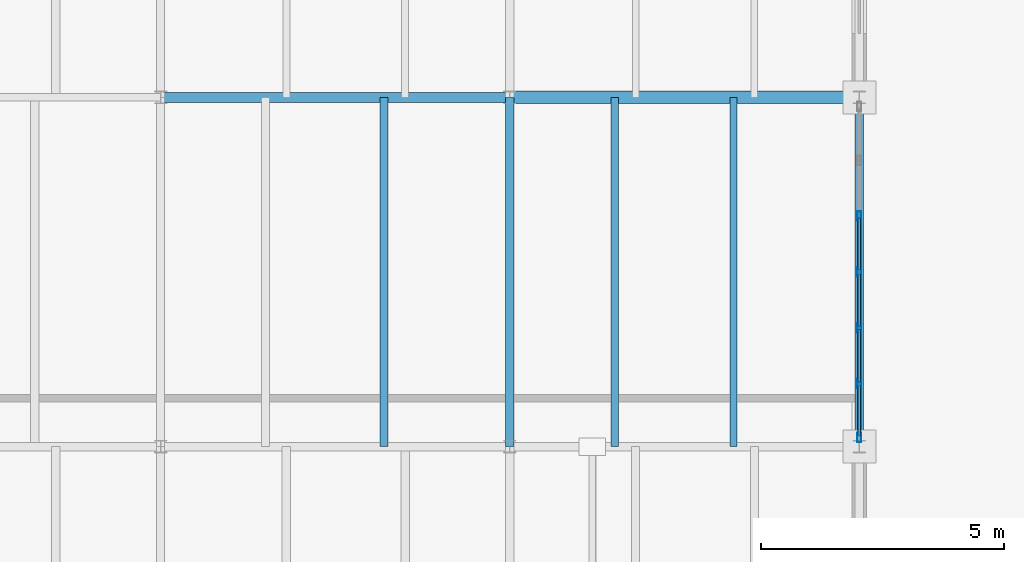
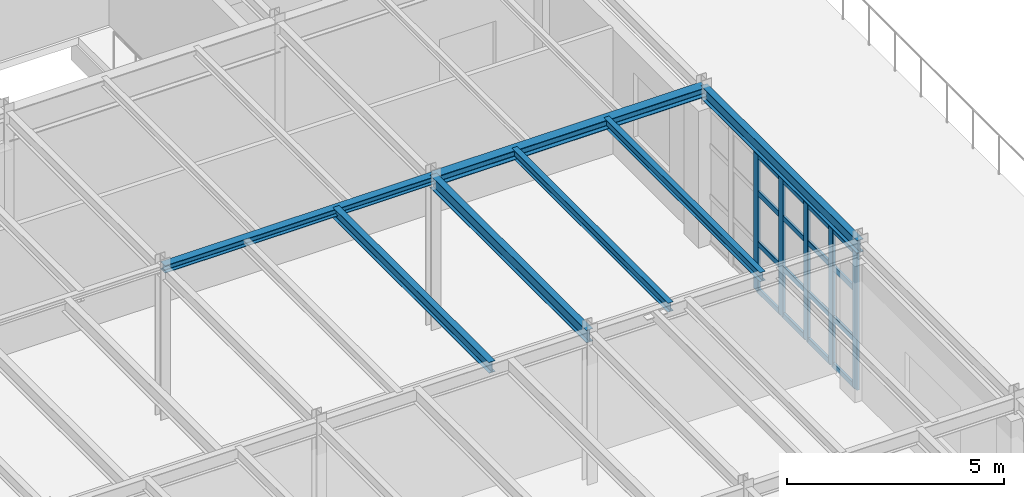
# One storey, part 23 of 36: 21 members, 7 beams, 1 element without a shape of its own.
"""IFC4 building model written with IfcOpenShell, lengths in metres."""

from ifc_helpers import new_model, si_unit, direction, frame, origin, origin_2d, place, context, subcontext, project, spatial, hollow_rectangle, i_section, extrude, material, layer, layer_set, material_profile, profile_set, type_object, element, aggregate, save


model = new_model("IFC4")

# Units and contexts
model_context = context("Model", 3, precision=1e-05, world=origin(), true_north=direction((0.0, 1.0)))
body_context = subcontext(model_context, "Body", "Model", "MODEL_VIEW")
ifc_project = project(units=[si_unit("LENGTHUNIT", "METRE"), si_unit("AREAUNIT", "SQUARE_METRE"), si_unit("VOLUMEUNIT", "CUBIC_METRE"), si_unit("PLANEANGLEUNIT", "RADIAN"), si_unit("MASSUNIT", "GRAM", prefix="KILO")], contexts=[model_context])

# Site, building, storey
site_placement = place(None, origin())
site = spatial("IfcSite", under=ifc_project, at=site_placement, CompositionType="ELEMENT")
building_placement = place(site_placement, origin())
building = spatial("IfcBuilding", under=site, at=building_placement, Name="Kemerveld Promenade Tramway Depot", CompositionType="ELEMENT")
storey_placement = place(building_placement, frame((0.0, 0.0, 14.39990234375)))
storey = spatial("IfcBuildingStorey", under=building, at=storey_placement, Name="L03", CompositionType="ELEMENT", Elevation=14.39990234375)

# Beams
ifc_material_1 = material(Name="Steel S355", Category="steel")
ifc_material_profile_1 = material_profile(ifc_material_1, i_section(OverallWidth=0.172119140625, OverallDepth=0.35791015625, WebThickness=0.008056640625, FlangeThickness=0.012939453125, FilletRadius=0.01025390625, at=origin_2d()), Name="356x171x57 UB")
ifc_profile_set_1 = profile_set([ifc_material_profile_1], Name="Steel S355")
beam_type_1 = type_object("IfcBeamType", Name="BM-G08", PredefinedType="BEAM", material=ifc_profile_set_1)
for number, where, z_axis, x_axis, name in (
    (1, (36.0, 43.199951171875, 4.106201171875), (0.0, 1.0, 0.0), (-1.0, 0.0, 0.0), "BMY-L03-06-G-H"),
    (2, (43.199951171875, 43.199951171875, 4.106201171875), (0.0, 1.0, 0.0), (-1.0, 0.0, 0.0), "BMY-L03-07-G-H"),
):
    element("IfcBeam", number, at=place(storey_placement, frame(where, z_axis=z_axis, x_axis=x_axis)), inside=storey, type_object=beam_type_1, Name=name, PredefinedType="BEAM", context=body_context, shape_type="SweptSolid", body=[
        extrude(i_section(OverallWidth=0.172119140625, OverallDepth=0.35791015625, WebThickness=0.008056640625, FlangeThickness=0.012939453125, FilletRadius=0.01025390625, at=origin_2d()), origin(), (0.0, 0.0, 1.0), 7.199951171875),
    ])
ifc_material_profile_2 = material_profile(ifc_material_1, i_section(OverallWidth=0.165771484375, OverallDepth=0.306640625, WebThickness=0.006591796875, FlangeThickness=0.01171875, FilletRadius=0.0087890625, at=origin_2d()), Name="305x165x46 UB")
ifc_profile_set_2 = profile_set([ifc_material_profile_2], Name="Steel S355")
beam_type_2 = type_object("IfcBeamType", Name="BM-J01", PredefinedType="JOIST", material=ifc_profile_set_2)
beam_1_placement = place(storey_placement, frame((33.407958984375, 43.199951171875, 4.1318359375), z_axis=(0.0, 1.0, 0.0), x_axis=(-1.0, 0.0, 0.0)))
element("IfcBeam", 3, at=beam_1_placement, inside=storey, type_object=beam_type_2, Name="JST-L03-05-G-2", PredefinedType="JOIST", context=body_context, shape_type="SweptSolid", body=[
    extrude(i_section(OverallWidth=0.165771484375, OverallDepth=0.306640625, WebThickness=0.006591796875, FlangeThickness=0.01171875, FilletRadius=0.0087890625, at=origin_2d()), origin(), (0.0, 0.0, 1.0), 7.199951171875),
])
ifc_material_profile_3 = material_profile(ifc_material_1, i_section(OverallWidth=0.146484375, OverallDepth=0.256103515625, WebThickness=0.00634765625, FlangeThickness=0.010986328125, FilletRadius=0.007568359375, at=origin_2d()), Name="254x146x37 UB")
ifc_profile_set_3 = profile_set([ifc_material_profile_3], Name="Steel S355")
beam_type_3 = type_object("IfcBeamType", Name="BM-J02", PredefinedType="JOIST", material=ifc_profile_set_3)
for number, where, z_axis, x_axis, name in (
    (4, (38.159912109375, 43.199951171875, 4.156982421875), (0.0, 1.0, 0.0), (-1.0, 0.0, 0.0), "JST-L03-06-G-1"),
    (5, (40.60791015625, 43.199951171875, 4.156982421875), (0.0, 1.0, 0.0), (-1.0, 0.0, 0.0), "JST-L03-06-G-2"),
):
    element("IfcBeam", number, at=place(storey_placement, frame(where, z_axis=z_axis, x_axis=x_axis)), inside=storey, type_object=beam_type_3, Name=name, PredefinedType="JOIST", context=body_context, shape_type="SweptSolid", body=[
        extrude(i_section(OverallWidth=0.146484375, OverallDepth=0.256103515625, WebThickness=0.00634765625, FlangeThickness=0.010986328125, FilletRadius=0.007568359375, at=origin_2d()), origin(), (0.0, 0.0, 1.0), 7.199951171875),
    ])
ifc_material_profile_4 = material_profile(ifc_material_1, i_section(OverallWidth=0.205810546875, OverallDepth=0.209716796875, WebThickness=0.009521484375, FlangeThickness=0.01416015625, FilletRadius=0.01025390625, at=origin_2d()), Name="203x203x60 UC")
ifc_profile_set_4 = profile_set([ifc_material_profile_4], Name="Steel S355")
beam_type_4 = type_object("IfcBeamType", Name="BM-LN3", PredefinedType="LINTEL", material=ifc_profile_set_4)
beam_2_placement = place(storey_placement, frame((28.800048828125, 50.39990234375, 4.18017578125), z_axis=(1.0, 0.0, 0.0), x_axis=(0.0, 1.0, 0.0)))
element("IfcBeam", 6, at=beam_2_placement, inside=storey, type_object=beam_type_4, Name="BMX-L03-05-06-H", PredefinedType="LINTEL", context=body_context, shape_type="SweptSolid", body=[
    extrude(i_section(OverallWidth=0.205810546875, OverallDepth=0.209716796875, WebThickness=0.009521484375, FlangeThickness=0.01416015625, FilletRadius=0.01025390625, at=origin_2d()), origin(), (0.0, 0.0, 1.0), 7.199951171875),
])
ifc_material_profile_5 = material_profile(ifc_material_1, i_section(OverallWidth=0.25634765625, OverallDepth=0.26025390625, WebThickness=0.01025390625, FlangeThickness=0.017333984375, FilletRadius=0.0126953125, at=origin_2d()), Name="254x254x89 UC")
ifc_profile_set_5 = profile_set([ifc_material_profile_5], Name="Steel S355")
beam_type_5 = type_object("IfcBeamType", Name="BM-LN4", PredefinedType="LINTEL", material=ifc_profile_set_5)
beam_3_placement = place(storey_placement, frame((36.0, 50.39990234375, 4.15478515625), z_axis=(1.0, 0.0, 0.0), x_axis=(0.0, 1.0, 0.0)))
element("IfcBeam", 7, at=beam_3_placement, inside=storey, type_object=beam_type_5, Name="BMX-L03-06-07-H", PredefinedType="LINTEL", context=body_context, shape_type="SweptSolid", body=[
    extrude(i_section(OverallWidth=0.25634765625, OverallDepth=0.26025390625, WebThickness=0.01025390625, FlangeThickness=0.017333984375, FilletRadius=0.0126953125, at=origin_2d()), origin(), (0.0, 0.0, 1.0), 7.199951171875),
])

# Curtain wall, members
ifc_material_2 = material(Name="Bronze anodised aluminium and solar glass", Category="aluminium")
ifc_layer = layer(ifc_material_2, 0.199951171875)
ifc_layer_set = layer_set([ifc_layer], Name="CW-SYS-06")
curtain_wall_type = type_object("IfcCurtainWallType", Name="CW-SYS-06", PredefinedType="USERDEFINED", material=ifc_layer_set)
curtain_wall_placement = place(storey_placement, origin())
curtain_wall = element("IfcCurtainWall", 8, at=curtain_wall_placement, inside=storey, type_object=curtain_wall_type, Name="CW-L03-V5E-03", ObjectType="GLAZED_CURTAIN_WALL", PredefinedType="USERDEFINED")
ifc_material_3 = material(Name="Bronze anodised aluminium", Category="aluminium")
ifc_material_profile_6 = material_profile(ifc_material_3, hollow_rectangle(XDim=0.074951171875, YDim=0.199951171875, WallThickness=0.0048828125, InnerFilletRadius=0.001953125, OuterFilletRadius=0.0048828125, at=origin_2d()), Name="CW-MUL-200x75")
ifc_profile_set_6 = profile_set([ifc_material_profile_6], Name="Bronze anodised aluminium")
member_type_1 = type_object("IfcMemberType", Name="CW-MUL-B", PredefinedType="MULLION", material=ifc_profile_set_6)
member_1_placement = place(storey_placement, frame((43.199951171875, 47.949951171875, 0.0), z_axis=(0.0, 0.0, 1.0), x_axis=(1.0, 0.0, 0.0)))
member_1 = element("IfcMember", 9, at=member_1_placement, type_object=member_type_1, Name="CW06 mullion 3", PredefinedType="MULLION", context=body_context, shape_type="SweptSolid", body=[
    extrude(hollow_rectangle(XDim=0.074951171875, YDim=0.199951171875, WallThickness=0.0048828125, InnerFilletRadius=0.001953125, OuterFilletRadius=0.0048828125, at=origin_2d()), origin(), (0.0, 0.0, 1.0), 3.85009765625),
])
member_2_placement = place(storey_placement, frame((43.199951171875, 46.800048828125, 0.0), z_axis=(0.0, 0.0, 1.0), x_axis=(1.0, 0.0, 0.0)))
member_2 = element("IfcMember", 10, at=member_2_placement, type_object=member_type_1, Name="CW06 mullion 4", PredefinedType="MULLION", context=body_context, shape_type="SweptSolid", body=[
    extrude(hollow_rectangle(XDim=0.074951171875, YDim=0.199951171875, WallThickness=0.0048828125, InnerFilletRadius=0.001953125, OuterFilletRadius=0.0048828125, at=origin_2d()), origin(), (0.0, 0.0, 1.0), 3.85009765625),
])
member_3_placement = place(storey_placement, frame((43.199951171875, 45.650146484375, 0.0), z_axis=(0.0, 0.0, 1.0), x_axis=(1.0, 0.0, 0.0)))
member_3 = element("IfcMember", 11, at=member_3_placement, type_object=member_type_1, Name="CW06 mullion 5", PredefinedType="MULLION", context=body_context, shape_type="SweptSolid", body=[
    extrude(hollow_rectangle(XDim=0.074951171875, YDim=0.199951171875, WallThickness=0.0048828125, InnerFilletRadius=0.001953125, OuterFilletRadius=0.0048828125, at=origin_2d()), origin(), (0.0, 0.0, 1.0), 3.85009765625),
])
member_4_placement = place(storey_placement, frame((43.199951171875, 44.5, 0.0), z_axis=(0.0, 0.0, 1.0), x_axis=(1.0, 0.0, 0.0)))
member_4 = element("IfcMember", 12, at=member_4_placement, type_object=member_type_1, Name="CW06 mullion 6", PredefinedType="MULLION", context=body_context, shape_type="SweptSolid", body=[
    extrude(hollow_rectangle(XDim=0.074951171875, YDim=0.199951171875, WallThickness=0.0048828125, InnerFilletRadius=0.001953125, OuterFilletRadius=0.0048828125, at=origin_2d()), origin(), (0.0, 0.0, 1.0), 3.85009765625),
])
member_5_placement = place(storey_placement, frame((43.199951171875, 43.3876953125, 0.0), z_axis=(0.0, 0.0, 1.0), x_axis=(1.0, 0.0, 0.0)))
member_5 = element("IfcMember", 13, at=member_5_placement, type_object=member_type_1, Name="CW06 mullion 7", PredefinedType="MULLION", context=body_context, shape_type="SweptSolid", body=[
    extrude(hollow_rectangle(XDim=0.074951171875, YDim=0.199951171875, WallThickness=0.0048828125, InnerFilletRadius=0.001953125, OuterFilletRadius=0.0048828125, at=origin_2d()), origin(), (0.0, 0.0, 1.0), 3.85009765625),
])
ifc_material_profile_7 = material_profile(ifc_material_3, hollow_rectangle(XDim=0.06494140625, YDim=0.14990234375, WallThickness=0.00439453125, InnerFilletRadius=0.001953125, OuterFilletRadius=0.00439453125, at=origin_2d()), Name="CW-TRN-150x65")
ifc_profile_set_7 = profile_set([ifc_material_profile_7], Name="Bronze anodised aluminium")
member_type_2 = type_object("IfcMemberType", Name="CW-TRN-B", PredefinedType="USERDEFINED", material=ifc_profile_set_7)
member_6_placement = place(storey_placement, frame((43.199951171875, 47.912353515625, 0.03271484375), z_axis=(0.0, -1.0, 0.0), x_axis=(1.0, 0.0, 0.0)))
member_6 = element("IfcMember", 14, at=member_6_placement, type_object=member_type_2, Name="CW06 transom 3.1", ObjectType="TRANSOM", PredefinedType="USERDEFINED", context=body_context, shape_type="SweptSolid", body=[
    extrude(hollow_rectangle(XDim=0.06494140625, YDim=0.14990234375, WallThickness=0.00439453125, InnerFilletRadius=0.001953125, OuterFilletRadius=0.00439453125, at=origin_2d()), origin(), (0.0, 0.0, 1.0), 1.074951171875),
])
member_7_placement = place(storey_placement, frame((43.199951171875, 47.912353515625, 1.34814453125), z_axis=(0.0, -1.0, 0.0), x_axis=(1.0, 0.0, 0.0)))
member_7 = element("IfcMember", 15, at=member_7_placement, type_object=member_type_2, Name="CW06 transom 3.2", ObjectType="TRANSOM", PredefinedType="USERDEFINED", context=body_context, shape_type="SweptSolid", body=[
    extrude(hollow_rectangle(XDim=0.06494140625, YDim=0.14990234375, WallThickness=0.00439453125, InnerFilletRadius=0.001953125, OuterFilletRadius=0.00439453125, at=origin_2d()), origin(), (0.0, 0.0, 1.0), 1.074951171875),
])
member_8_placement = place(storey_placement, frame((43.199951171875, 47.912353515625, 2.772216796875), z_axis=(0.0, -1.0, 0.0), x_axis=(1.0, 0.0, 0.0)))
member_8 = element("IfcMember", 16, at=member_8_placement, type_object=member_type_2, Name="CW06 transom 3.3", ObjectType="TRANSOM", PredefinedType="USERDEFINED", context=body_context, shape_type="SweptSolid", body=[
    extrude(hollow_rectangle(XDim=0.06494140625, YDim=0.14990234375, WallThickness=0.00439453125, InnerFilletRadius=0.001953125, OuterFilletRadius=0.00439453125, at=origin_2d()), origin(), (0.0, 0.0, 1.0), 1.074951171875),
])
member_9_placement = place(storey_placement, frame((43.199951171875, 47.912353515625, 3.817626953125), z_axis=(0.0, -1.0, 0.0), x_axis=(1.0, 0.0, 0.0)))
member_9 = element("IfcMember", 17, at=member_9_placement, type_object=member_type_2, Name="CW06 transom 3.4", ObjectType="TRANSOM", PredefinedType="USERDEFINED", context=body_context, shape_type="SweptSolid", body=[
    extrude(hollow_rectangle(XDim=0.06494140625, YDim=0.14990234375, WallThickness=0.00439453125, InnerFilletRadius=0.001953125, OuterFilletRadius=0.00439453125, at=origin_2d()), origin(), (0.0, 0.0, 1.0), 1.074951171875),
])
member_10_placement = place(storey_placement, frame((43.199951171875, 46.762451171875, 0.03271484375), z_axis=(0.0, -1.0, 0.0), x_axis=(1.0, 0.0, 0.0)))
member_10 = element("IfcMember", 18, at=member_10_placement, type_object=member_type_2, Name="CW06 transom 4.1", ObjectType="TRANSOM", PredefinedType="USERDEFINED", context=body_context, shape_type="SweptSolid", body=[
    extrude(hollow_rectangle(XDim=0.06494140625, YDim=0.14990234375, WallThickness=0.00439453125, InnerFilletRadius=0.001953125, OuterFilletRadius=0.00439453125, at=origin_2d()), origin(), (0.0, 0.0, 1.0), 1.074951171875),
])
member_11_placement = place(storey_placement, frame((43.199951171875, 46.762451171875, 1.34814453125), z_axis=(0.0, -1.0, 0.0), x_axis=(1.0, 0.0, 0.0)))
member_11 = element("IfcMember", 19, at=member_11_placement, type_object=member_type_2, Name="CW06 transom 4.2", ObjectType="TRANSOM", PredefinedType="USERDEFINED", context=body_context, shape_type="SweptSolid", body=[
    extrude(hollow_rectangle(XDim=0.06494140625, YDim=0.14990234375, WallThickness=0.00439453125, InnerFilletRadius=0.001953125, OuterFilletRadius=0.00439453125, at=origin_2d()), origin(), (0.0, 0.0, 1.0), 1.074951171875),
])
member_12_placement = place(storey_placement, frame((43.199951171875, 46.762451171875, 2.772216796875), z_axis=(0.0, -1.0, 0.0), x_axis=(1.0, 0.0, 0.0)))
member_12 = element("IfcMember", 20, at=member_12_placement, type_object=member_type_2, Name="CW06 transom 4.3", ObjectType="TRANSOM", PredefinedType="USERDEFINED", context=body_context, shape_type="SweptSolid", body=[
    extrude(hollow_rectangle(XDim=0.06494140625, YDim=0.14990234375, WallThickness=0.00439453125, InnerFilletRadius=0.001953125, OuterFilletRadius=0.00439453125, at=origin_2d()), origin(), (0.0, 0.0, 1.0), 1.074951171875),
])
member_13_placement = place(storey_placement, frame((43.199951171875, 46.762451171875, 3.817626953125), z_axis=(0.0, -1.0, 0.0), x_axis=(1.0, 0.0, 0.0)))
member_13 = element("IfcMember", 21, at=member_13_placement, type_object=member_type_2, Name="CW06 transom 4.4", ObjectType="TRANSOM", PredefinedType="USERDEFINED", context=body_context, shape_type="SweptSolid", body=[
    extrude(hollow_rectangle(XDim=0.06494140625, YDim=0.14990234375, WallThickness=0.00439453125, InnerFilletRadius=0.001953125, OuterFilletRadius=0.00439453125, at=origin_2d()), origin(), (0.0, 0.0, 1.0), 1.074951171875),
])
member_14_placement = place(storey_placement, frame((43.199951171875, 45.612548828125, 0.03271484375), z_axis=(0.0, -1.0, 0.0), x_axis=(1.0, 0.0, 0.0)))
member_14 = element("IfcMember", 22, at=member_14_placement, type_object=member_type_2, Name="CW06 transom 5.1", ObjectType="TRANSOM", PredefinedType="USERDEFINED", context=body_context, shape_type="SweptSolid", body=[
    extrude(hollow_rectangle(XDim=0.06494140625, YDim=0.14990234375, WallThickness=0.00439453125, InnerFilletRadius=0.001953125, OuterFilletRadius=0.00439453125, at=origin_2d()), origin(), (0.0, 0.0, 1.0), 1.074951171875),
])
member_15_placement = place(storey_placement, frame((43.199951171875, 45.612548828125, 1.34814453125), z_axis=(0.0, -1.0, 0.0), x_axis=(1.0, 0.0, 0.0)))
member_15 = element("IfcMember", 23, at=member_15_placement, type_object=member_type_2, Name="CW06 transom 5.2", ObjectType="TRANSOM", PredefinedType="USERDEFINED", context=body_context, shape_type="SweptSolid", body=[
    extrude(hollow_rectangle(XDim=0.06494140625, YDim=0.14990234375, WallThickness=0.00439453125, InnerFilletRadius=0.001953125, OuterFilletRadius=0.00439453125, at=origin_2d()), origin(), (0.0, 0.0, 1.0), 1.074951171875),
])
member_16_placement = place(storey_placement, frame((43.199951171875, 45.612548828125, 2.772216796875), z_axis=(0.0, -1.0, 0.0), x_axis=(1.0, 0.0, 0.0)))
member_16 = element("IfcMember", 24, at=member_16_placement, type_object=member_type_2, Name="CW06 transom 5.3", ObjectType="TRANSOM", PredefinedType="USERDEFINED", context=body_context, shape_type="SweptSolid", body=[
    extrude(hollow_rectangle(XDim=0.06494140625, YDim=0.14990234375, WallThickness=0.00439453125, InnerFilletRadius=0.001953125, OuterFilletRadius=0.00439453125, at=origin_2d()), origin(), (0.0, 0.0, 1.0), 1.074951171875),
])
member_17_placement = place(storey_placement, frame((43.199951171875, 45.612548828125, 3.817626953125), z_axis=(0.0, -1.0, 0.0), x_axis=(1.0, 0.0, 0.0)))
member_17 = element("IfcMember", 25, at=member_17_placement, type_object=member_type_2, Name="CW06 transom 5.4", ObjectType="TRANSOM", PredefinedType="USERDEFINED", context=body_context, shape_type="SweptSolid", body=[
    extrude(hollow_rectangle(XDim=0.06494140625, YDim=0.14990234375, WallThickness=0.00439453125, InnerFilletRadius=0.001953125, OuterFilletRadius=0.00439453125, at=origin_2d()), origin(), (0.0, 0.0, 1.0), 1.074951171875),
])
member_18_placement = place(storey_placement, frame((43.199951171875, 44.462646484375, 0.03271484375), z_axis=(0.0, -1.0, 0.0), x_axis=(1.0, 0.0, 0.0)))
member_18 = element("IfcMember", 26, at=member_18_placement, type_object=member_type_2, Name="CW06 transom 6.1", ObjectType="TRANSOM", PredefinedType="USERDEFINED", context=body_context, shape_type="SweptSolid", body=[
    extrude(hollow_rectangle(XDim=0.06494140625, YDim=0.14990234375, WallThickness=0.00439453125, InnerFilletRadius=0.001953125, OuterFilletRadius=0.00439453125, at=origin_2d()), origin(), (0.0, 0.0, 1.0), 1.03759765625),
])
member_19_placement = place(storey_placement, frame((43.199951171875, 44.462646484375, 1.34814453125), z_axis=(0.0, -1.0, 0.0), x_axis=(1.0, 0.0, 0.0)))
member_19 = element("IfcMember", 27, at=member_19_placement, type_object=member_type_2, Name="CW06 transom 6.2", ObjectType="TRANSOM", PredefinedType="USERDEFINED", context=body_context, shape_type="SweptSolid", body=[
    extrude(hollow_rectangle(XDim=0.06494140625, YDim=0.14990234375, WallThickness=0.00439453125, InnerFilletRadius=0.001953125, OuterFilletRadius=0.00439453125, at=origin_2d()), origin(), (0.0, 0.0, 1.0), 1.03759765625),
])
member_20_placement = place(storey_placement, frame((43.199951171875, 44.462646484375, 2.772216796875), z_axis=(0.0, -1.0, 0.0), x_axis=(1.0, 0.0, 0.0)))
member_20 = element("IfcMember", 28, at=member_20_placement, type_object=member_type_2, Name="CW06 transom 6.3", ObjectType="TRANSOM", PredefinedType="USERDEFINED", context=body_context, shape_type="SweptSolid", body=[
    extrude(hollow_rectangle(XDim=0.06494140625, YDim=0.14990234375, WallThickness=0.00439453125, InnerFilletRadius=0.001953125, OuterFilletRadius=0.00439453125, at=origin_2d()), origin(), (0.0, 0.0, 1.0), 1.03759765625),
])
member_21_placement = place(storey_placement, frame((43.199951171875, 44.462646484375, 3.817626953125), z_axis=(0.0, -1.0, 0.0), x_axis=(1.0, 0.0, 0.0)))
member_21 = element("IfcMember", 29, at=member_21_placement, type_object=member_type_2, Name="CW06 transom 6.4", ObjectType="TRANSOM", PredefinedType="USERDEFINED", context=body_context, shape_type="SweptSolid", body=[
    extrude(hollow_rectangle(XDim=0.06494140625, YDim=0.14990234375, WallThickness=0.00439453125, InnerFilletRadius=0.001953125, OuterFilletRadius=0.00439453125, at=origin_2d()), origin(), (0.0, 0.0, 1.0), 1.03759765625),
])
aggregate(curtain_wall, [member_1, member_2, member_3, member_4, member_5, member_6, member_7, member_8, member_9, member_10, member_11, member_12, member_13, member_14, member_15, member_16, member_17, member_18, member_19, member_20, member_21])

save(model, "model.ifc")
